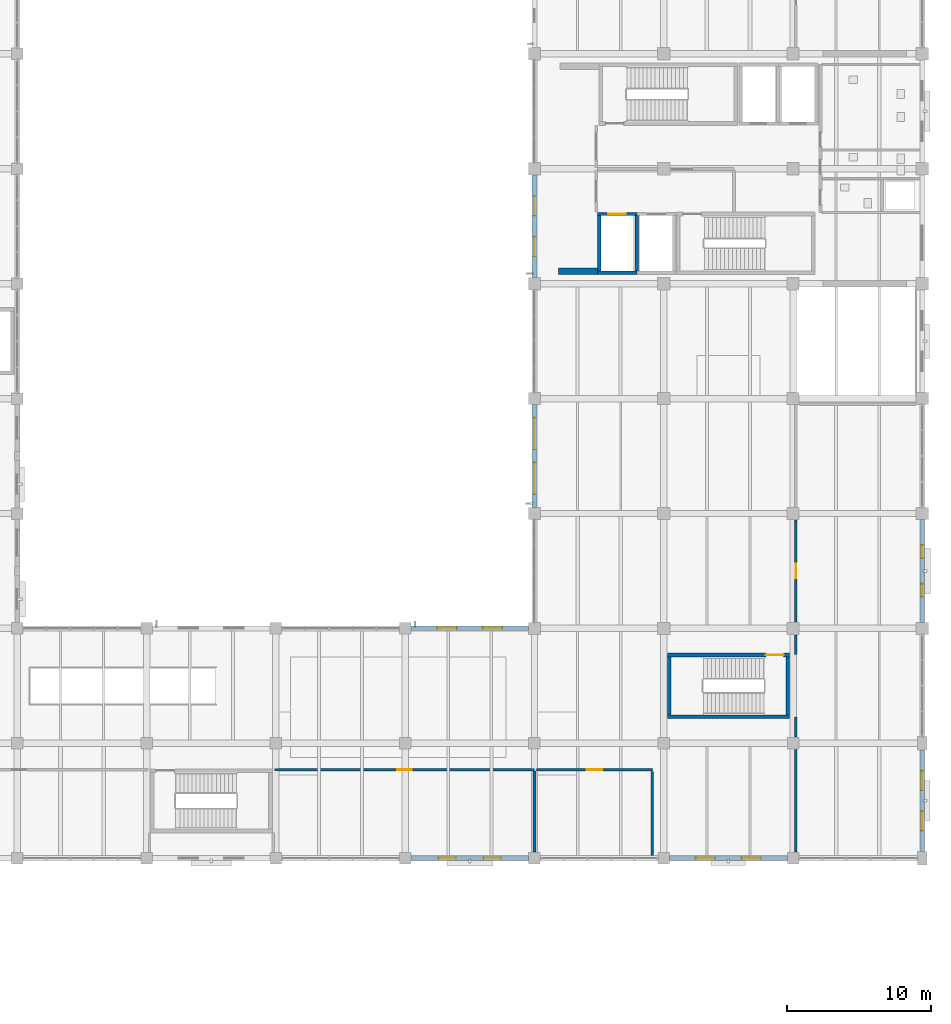
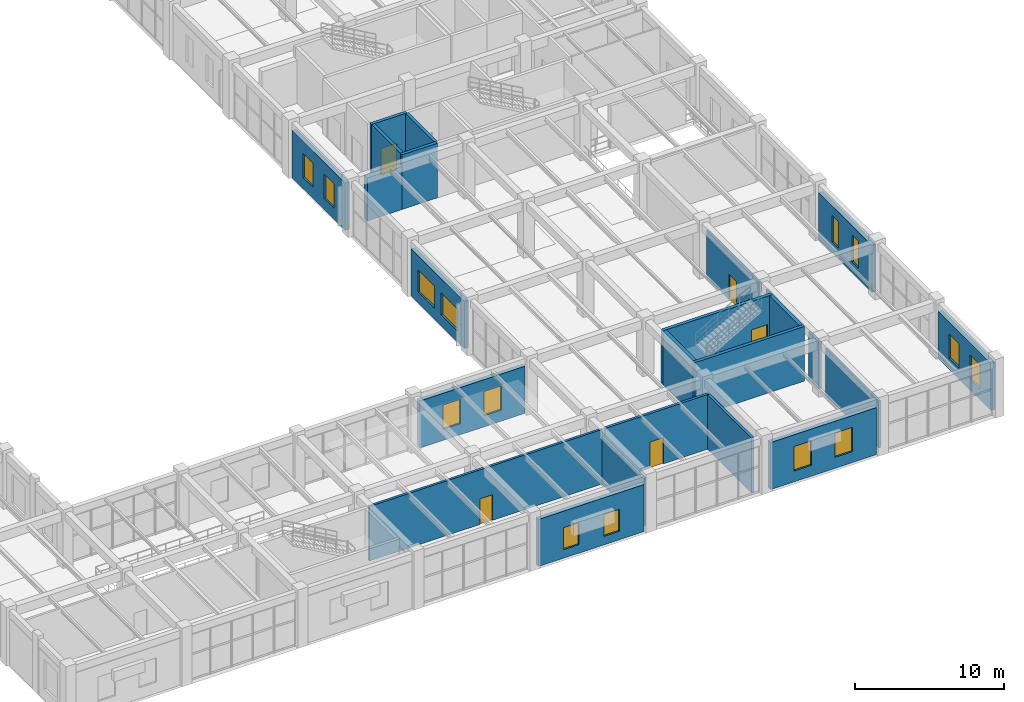
# One storey, part 157 of 178: 24 walls, 14 windows, 5 doors, 19 openings.
"""IFC4 building model written with IfcOpenShell, lengths in metres."""

import ifcopenshell
import ifcopenshell.guid

model = None  # the IFC model being written
_history = None  # IfcOwnerHistory: only IFC2X3 demands one
_inside = {}  # id of a spatial element -> (the spatial element, [elements in it])
_under = {}  # id of a project, library or spatial element -> (it, [spatial elements below it])
_declared = {}  # id of a project -> (the project, [libraries it declares])
_typed = {}  # id of a type object -> (the type object, [elements of that type])
_made_of = {}  # id of a material, layer set ... -> (it, [elements and type objects made of it])


def new_model(schema):
    """Start an empty IFC model of exactly this schema.

    Asked for "IFC4X3", IfcOpenShell would pick the latest addendum, in which some entities
    have other attributes; the version numbers below select the first issue.
    IFC2X3 requires an IfcOwnerHistory on every rooted entity: one is made here for all.
    """
    global model, _history
    if schema == "IFC4X3":
        model = ifcopenshell.file(schema_version=(4, 3, 0, 0))
    else:
        model = ifcopenshell.file(schema=schema)
    _inside.clear()
    _under.clear()
    _declared.clear()
    _typed.clear()
    _made_of.clear()
    _history = None
    if model.schema == "IFC2X3":
        org = make("IfcOrganization", Name="unknown")
        user = make(
            "IfcPersonAndOrganization",
            ThePerson=make("IfcPerson", FamilyName="unknown"),
            TheOrganization=org,
        )
        app = make(
            "IfcApplication",
            ApplicationDeveloper=org,
            Version="unknown",
            ApplicationFullName="unknown",
            ApplicationIdentifier="unknown",
        )
        _history = make(
            "IfcOwnerHistory",
            OwningUser=user,
            OwningApplication=app,
            ChangeAction="ADDED",
            CreationDate=0,
        )
    return model


def make(cls, **values):
    """One entity of the class cls with the attributes given. An attribute that is None is left unset."""
    return model.create_entity(
        cls, **{name: value for name, value in values.items() if value is not None}
    )


def rooted(cls, **values):
    """An entity with a GlobalId (a new one), such as an element, a storey or a relation."""
    return make(cls, GlobalId=ifcopenshell.guid.new(), OwnerHistory=_history, **values)


def si_unit(unit_type, name, prefix=None):
    """IfcSIUnit, for example si_unit("LENGTHUNIT", "METRE", prefix="MILLI")."""
    return make("IfcSIUnit", UnitType=unit_type, Prefix=prefix, Name=name)


def derived_unit(unit_type, elements):
    """IfcDerivedUnit: a product of units, each with its exponent."""
    return make(
        "IfcDerivedUnit",
        Elements=[
            make("IfcDerivedUnitElement", Unit=unit, Exponent=power)
            for unit, power in elements
        ],
        UnitType=unit_type,
    )


def assignment(units):
    """IfcUnitAssignment: the units of a project."""
    return None if units is None else make("IfcUnitAssignment", Units=units)


def point(xyz):
    """IfcCartesianPoint."""
    return None if xyz is None else make("IfcCartesianPoint", Coordinates=xyz)


def direction(xyz):
    """IfcDirection."""
    return None if xyz is None else make("IfcDirection", DirectionRatios=xyz)


def frame(location, z_axis=None, x_axis=None):
    """IfcAxis2Placement3D, a coordinate frame: its origin and axes. An axis left out is left unset."""
    return make(
        "IfcAxis2Placement3D",
        Location=point(location),
        Axis=direction(z_axis),
        RefDirection=direction(x_axis),
    )


def frame_2d(location, x_axis=None):
    """IfcAxis2Placement2D, a coordinate frame in the plane: its origin and x axis."""
    return make(
        "IfcAxis2Placement2D", Location=point(location), RefDirection=direction(x_axis)
    )


def origin():
    """The frame at (0, 0, 0) with its axes left unset."""
    return frame((0.0, 0.0, 0.0))


def place(relative_to, where):
    """IfcLocalPlacement: puts the frame where relative to a parent placement (None: the world)."""
    return make(
        "IfcLocalPlacement", PlacementRelTo=relative_to, RelativePlacement=where
    )


def context(
    kind, dimensions, precision=None, world=None, true_north=None, identifier=None
):
    """IfcGeometricRepresentationContext, for example the 3D "Model" context."""
    return make(
        "IfcGeometricRepresentationContext",
        ContextIdentifier=identifier,
        ContextType=kind,
        CoordinateSpaceDimension=dimensions,
        Precision=precision,
        WorldCoordinateSystem=world,
        TrueNorth=true_north,
    )


def subcontext(parent, identifier, kind, view, scale=None):
    """IfcGeometricRepresentationSubContext, for example "Body" below "Model"."""
    return make(
        "IfcGeometricRepresentationSubContext",
        ContextIdentifier=identifier,
        ContextType=kind,
        ParentContext=parent,
        TargetScale=scale,
        TargetView=view,
    )


def project(units=None, contexts=None):
    """IfcProject with its units and contexts."""
    return rooted(
        "IfcProject",
        Name="project",
        RepresentationContexts=contexts,
        UnitsInContext=assignment(units),
    )


def spatial(cls, under=None, at=None, **own):
    """A site, building, storey or space (cls), placed at a placement, below another one or the project."""
    s = rooted(cls, ObjectPlacement=at, **own)
    if under is not None:
        _under.setdefault(under.id(), (under, []))[1].append(s)
    return s


def profile(cls, at=None, kind="AREA", **sizes):
    """A parametric profile (cls). Its sizes go by their IFC names, for example OverallWidth=200.0."""
    return make(cls, ProfileType=kind, Position=at, **sizes)


def rectangle(**sizes):
    """IfcRectangleProfileDef."""
    return profile("IfcRectangleProfileDef", **sizes)


def extrude(swept, where, along, depth):
    """IfcExtrudedAreaSolid: the profile swept, set in the frame where, extruded along a direction by depth."""
    return make(
        "IfcExtrudedAreaSolid",
        SweptArea=swept,
        Position=where,
        ExtrudedDirection=direction(along),
        Depth=depth,
    )


def shape(context_of_items, identifier, shape_type, items):
    """IfcShapeRepresentation: the items that make up one representation, for example the "Body"."""
    return make(
        "IfcShapeRepresentation",
        ContextOfItems=context_of_items,
        RepresentationIdentifier=identifier,
        RepresentationType=shape_type,
        Items=items,
    )


def material(Name=None, Category=None):
    """IfcMaterial."""
    return make("IfcMaterial", Name=Name, Category=Category)


def layer(
    of_material, thickness, ventilated=None, Name=None, Category=None, Priority=None
):
    """IfcMaterialLayer: one layer of a wall or slab, of a material (None: an air gap)."""
    return make(
        "IfcMaterialLayer",
        Material=of_material,
        LayerThickness=thickness,
        IsVentilated=ventilated,
        Name=Name,
        Category=Category,
        Priority=Priority,
    )


def layer_set(layers, Name=None):
    """IfcMaterialLayerSet."""
    return make("IfcMaterialLayerSet", MaterialLayers=layers, LayerSetName=Name)


def made_of(thing, what):
    """Note that an element or type object is made of a material, layer set ...; save() writes the relation."""
    if what is not None:
        _made_of.setdefault(what.id(), (what, []))[1].append(thing)
    return thing


def type_object(cls, material=None, **own):
    """A type object (cls), such as IfcWallType, which elements share."""
    return made_of(rooted(cls, **own), material)


def element(
    cls,
    number,
    at=None,
    inside=None,
    cuts=None,
    type_object=None,
    material=None,
    context=None,
    identifier="Body",
    shape_type=None,
    held_by="IfcProductDefinitionShape",
    body=None,
    shapes=None,
    **own,
):
    """One element of the class cls, such as IfcWall. Its Tag is "e" and its number.

    at: its placement. inside: the storey or other place that contains it. cuts: it is an
    opening in that element (IfcRelVoidsElement). A single representation is given by context,
    identifier, shape_type and body (its items); several are given by shapes. held_by: the class
    of the entity that holds the representations. save() writes the other relations.
    """
    e = rooted(cls, Tag="e%d" % number, ObjectPlacement=at, **own)
    if body is not None:
        shapes = [shape(context, identifier, shape_type, body)]
    if shapes is not None:
        e.Representation = make(held_by, Representations=shapes)
    if inside is not None:
        _inside.setdefault(inside.id(), (inside, []))[1].append(e)
    if cuts is not None:
        rooted(
            "IfcRelVoidsElement", RelatingBuildingElement=cuts, RelatedOpeningElement=e
        )
    if type_object is not None:
        _typed.setdefault(type_object.id(), (type_object, []))[1].append(e)
    return made_of(e, material)


def fill(opening, filler):
    """IfcRelFillsElement: the door or window that sits in an opening."""
    return rooted(
        "IfcRelFillsElement",
        RelatingOpeningElement=opening,
        RelatedBuildingElement=filler,
    )


def aggregate(whole, parts):
    """IfcRelAggregates: a whole, such as a stair, and the parts it consists of."""
    return rooted("IfcRelAggregates", RelatingObject=whole, RelatedObjects=parts)


def save(model, path):
    """Write the relations noted so far, then the file.

    IfcRelAggregates (storeys below a building ...), IfcRelContainedInSpatialStructure (elements
    in a storey), IfcRelDefinesByType, IfcRelAssociatesMaterial and IfcRelDeclares: one each for
    every whole, place, type object, material and project.
    """
    for whole, parts in _under.values():
        aggregate(whole, parts)
    for where, things in _inside.values():
        rooted(
            "IfcRelContainedInSpatialStructure",
            RelatedElements=things,
            RelatingStructure=where,
        )
    for kind, things in _typed.values():
        rooted("IfcRelDefinesByType", RelatedObjects=things, RelatingType=kind)
    for what, things in _made_of.values():
        rooted("IfcRelAssociatesMaterial", RelatedObjects=things, RelatingMaterial=what)
    for by, libraries in _declared.values():
        rooted("IfcRelDeclares", RelatingContext=by, RelatedDefinitions=libraries)
    model.write(path)


model = new_model("IFC4")

# Units and contexts
model_context = context("Model", 3, precision=1e-05, world=origin(), true_north=direction((0.0, 1.0)))
body_context = subcontext(model_context, "Body", "Model", "MODEL_VIEW")
ifc_project = project(units=[si_unit("LENGTHUNIT", "METRE"), si_unit("AREAUNIT", "SQUARE_METRE"), si_unit("VOLUMEUNIT", "CUBIC_METRE"), si_unit("PLANEANGLEUNIT", "RADIAN"), si_unit("MASSUNIT", "GRAM", prefix="KILO"), derived_unit("THERMALTRANSMITTANCEUNIT", [(si_unit("MASSUNIT", "GRAM", prefix="KILO"), 1), (si_unit("TIMEUNIT", "SECOND"), -3), (si_unit("THERMODYNAMICTEMPERATUREUNIT", "KELVIN"), -1)])], contexts=[model_context])

# Site, building, storey
site_placement = place(None, origin())
site = spatial("IfcSite", under=ifc_project, at=site_placement, CompositionType="ELEMENT")
building_placement = place(site_placement, origin())
building = spatial("IfcBuilding", under=site, at=building_placement, Name="Zhenchuan Archway Interchange", CompositionType="ELEMENT")
storey_placement = place(building_placement, frame((0.0, 0.0, 5.39990234375)))
storey = spatial("IfcBuildingStorey", under=building, at=storey_placement, Name="L01", CompositionType="ELEMENT", Elevation=5.39990234375)

# Wall, openings, windows
ifc_material_1 = material(Name="Granite Stone Cladding", Category="masonry")
ifc_layer_1 = layer(ifc_material_1, 0.320068359375)
ifc_layer_set_1 = layer_set([ifc_layer_1], Name="Granite Stone Cladding")
wall_type_1 = type_object("IfcWallType", Name="EW_GRANITE_320", PredefinedType="STANDARD", material=ifc_layer_set_1)
wall_1_placement = place(storey_placement, frame((171.0, 31.576904296875, 0.0), z_axis=(0.0, 0.0, 1.0), x_axis=(0.0, -1.0, 0.0)))
wall_1 = element("IfcWall", 1, at=wall_1_placement, inside=storey, type_object=wall_type_1, Name="Exterior wall L01-063", PredefinedType="STANDARD", context=body_context, shape_type="SweptSolid", body=[
    extrude(rectangle(XDim=7.15380859375, YDim=0.320068359375, at=frame_2d((3.576904296875, 0.0))), origin(), (0.0, 0.0, 1.0), 3.860107421875),
])
opening_1_placement = place(wall_1_placement, frame((1.78466796875, 0.0, 0.89990234375)))
opening_1 = element("IfcOpeningElement", 2, at=opening_1_placement, cuts=wall_1, Name="Opening W-12", PredefinedType="OPENING", context=body_context, shape_type="SweptSolid", body=[
    extrude(rectangle(XDim=0.89990234375, YDim=2.199951171875, at=frame_2d((0.449951171875, 1.10009765625))), frame((0.0, 0.171875, 0.0), z_axis=(0.0, -1.0, 0.0), x_axis=(1.0, 0.0, 0.0)), (0.0, 0.0, 1.0), 0.343994140625),
])
opening_2_placement = place(wall_1_placement, frame((4.46923828125, 0.0, 0.89990234375)))
opening_2 = element("IfcOpeningElement", 3, at=opening_2_placement, cuts=wall_1, Name="Opening W-12", PredefinedType="OPENING", context=body_context, shape_type="SweptSolid", body=[
    extrude(rectangle(XDim=0.89990234375, YDim=2.199951171875, at=frame_2d((0.449951171875, 1.10009765625))), frame((0.0, 0.171875, 0.0), z_axis=(0.0, -1.0, 0.0), x_axis=(1.0, 0.0, 0.0)), (0.0, 0.0, 1.0), 0.343994140625),
])
ifc_material_2 = material(Name="Double Low-E Insulated Glazing", Category="glass")
window_type_1 = type_object("IfcWindowType", Name="WN_SLOT_900x2200", PartitioningType="SINGLE_PANEL", PredefinedType="WINDOW", material=ifc_material_2)
window_1_placement = place(opening_1_placement, origin())
window_1 = element("IfcWindow", 4, at=window_1_placement, inside=storey, type_object=window_type_1, Name="Window L01-0142", OverallHeight=2.199951171875, OverallWidth=0.89990234375, PartitioningType="SINGLE_PANEL", PredefinedType="WINDOW", context=body_context, shape_type="SweptSolid", body=[
    extrude(rectangle(XDim=0.89990234375, YDim=2.199951171875, at=frame_2d((0.449951171875, 1.10009765625))), frame((0.0, 0.030029296875, 0.0), z_axis=(0.0, -1.0, 0.0), x_axis=(1.0, 0.0, 0.0)), (0.0, 0.0, 1.0), 0.06005859375),
])
fill(opening_1, window_1)
window_2_placement = place(opening_2_placement, origin())
window_2 = element("IfcWindow", 5, at=window_2_placement, inside=storey, type_object=window_type_1, Name="Window L01-0143", OverallHeight=2.199951171875, OverallWidth=0.89990234375, PartitioningType="SINGLE_PANEL", PredefinedType="WINDOW", context=body_context, shape_type="SweptSolid", body=[
    extrude(rectangle(XDim=0.89990234375, YDim=2.199951171875, at=frame_2d((0.449951171875, 1.10009765625))), frame((0.0, 0.030029296875, 0.0), z_axis=(0.0, -1.0, 0.0), x_axis=(1.0, 0.0, 0.0)), (0.0, 0.0, 1.0), 0.06005859375),
])
fill(opening_2, window_2)

wall_2_placement = place(storey_placement, frame((171.0, 15.527099609375, 0.0), z_axis=(0.0, 0.0, 1.0), x_axis=(0.0, -1.0, 0.0)))
wall_2 = element("IfcWall", 6, at=wall_2_placement, inside=storey, type_object=wall_type_1, Name="Exterior wall L01-065", PredefinedType="STANDARD", context=body_context, shape_type="SweptSolid", body=[
    extrude(rectangle(XDim=7.05419921875, YDim=0.320068359375, at=frame_2d((3.527099609375, 0.0))), origin(), (0.0, 0.0, 1.0), 3.860107421875),
])
opening_3_placement = place(wall_2_placement, frame((1.451416015625, 0.0, 0.89990234375)))
opening_3 = element("IfcOpeningElement", 7, at=opening_3_placement, cuts=wall_2, Name="Opening W-06", PredefinedType="OPENING", context=body_context, shape_type="SweptSolid", body=[
    extrude(rectangle(XDim=1.35009765625, YDim=2.0, at=frame_2d((0.675048828125, 1.0))), frame((0.0, 0.171875, 0.0), z_axis=(0.0, -1.0, 0.0), x_axis=(1.0, 0.0, 0.0)), (0.0, 0.0, 1.0), 0.343994140625),
])
opening_4_placement = place(wall_2_placement, frame((4.252685546875, 0.0, 0.89990234375)))
opening_4 = element("IfcOpeningElement", 8, at=opening_4_placement, cuts=wall_2, Name="Opening W-06", PredefinedType="OPENING", context=body_context, shape_type="SweptSolid", body=[
    extrude(rectangle(XDim=1.35009765625, YDim=2.0, at=frame_2d((0.675048828125, 1.0))), frame((0.0, 0.171875, 0.0), z_axis=(0.0, -1.0, 0.0), x_axis=(1.0, 0.0, 0.0)), (0.0, 0.0, 1.0), 0.343994140625),
])
window_type_2 = type_object("IfcWindowType", Name="WN_MOD_1350x2000", PartitioningType="SINGLE_PANEL", PredefinedType="WINDOW", material=ifc_material_2)
window_3_placement = place(opening_3_placement, origin())
window_3 = element("IfcWindow", 9, at=window_3_placement, inside=storey, type_object=window_type_2, Name="Window L01-0144", OverallHeight=2.0, OverallWidth=1.35009765625, PartitioningType="SINGLE_PANEL", PredefinedType="WINDOW", context=body_context, shape_type="SweptSolid", body=[
    extrude(rectangle(XDim=1.35009765625, YDim=2.0, at=frame_2d((0.675048828125, 1.0))), frame((0.0, 0.030029296875, 0.0), z_axis=(0.0, -1.0, 0.0), x_axis=(1.0, 0.0, 0.0)), (0.0, 0.0, 1.0), 0.06005859375),
])
fill(opening_3, window_3)
window_4_placement = place(opening_4_placement, origin())
window_4 = element("IfcWindow", 10, at=window_4_placement, inside=storey, type_object=window_type_2, Name="Window L01-0145", OverallHeight=2.0, OverallWidth=1.35009765625, PartitioningType="SINGLE_PANEL", PredefinedType="WINDOW", context=body_context, shape_type="SweptSolid", body=[
    extrude(rectangle(XDim=1.35009765625, YDim=2.0, at=frame_2d((0.675048828125, 1.0))), frame((0.0, 0.030029296875, 0.0), z_axis=(0.0, -1.0, 0.0), x_axis=(1.0, 0.0, 0.0)), (0.0, 0.0, 1.0), 0.06005859375),
])
fill(opening_4, window_4)

wall_3_placement = place(storey_placement, frame((161.60205078125, 8.0, 0.0), z_axis=(0.0, 0.0, 1.0), x_axis=(-1.0, 0.0, 0.0)))
wall_3 = element("IfcWall", 11, at=wall_3_placement, inside=storey, type_object=wall_type_1, Name="Exterior wall L01-067", PredefinedType="STANDARD", context=body_context, shape_type="SweptSolid", body=[
    extrude(rectangle(XDim=8.2041015625, YDim=0.320068359375, at=frame_2d((4.10205078125, 0.0))), origin(), (0.0, 0.0, 1.0), 3.860107421875),
])
opening_5_placement = place(wall_3_placement, frame((1.834716796875, 0.0, 0.89990234375)))
opening_5 = element("IfcOpeningElement", 12, at=opening_5_placement, cuts=wall_3, Name="Opening W-06", PredefinedType="OPENING", context=body_context, shape_type="SweptSolid", body=[
    extrude(rectangle(XDim=1.35009765625, YDim=2.0, at=frame_2d((0.675048828125, 1.0))), frame((0.0, 0.171875, 0.0), z_axis=(0.0, -1.0, 0.0), x_axis=(1.0, 0.0, 0.0)), (0.0, 0.0, 1.0), 0.343994140625),
])
opening_6_placement = place(wall_3_placement, frame((5.019287109375, 0.0, 0.89990234375)))
opening_6 = element("IfcOpeningElement", 13, at=opening_6_placement, cuts=wall_3, Name="Opening W-06", PredefinedType="OPENING", context=body_context, shape_type="SweptSolid", body=[
    extrude(rectangle(XDim=1.35009765625, YDim=2.0, at=frame_2d((0.675048828125, 1.0))), frame((0.0, 0.171875, 0.0), z_axis=(0.0, -1.0, 0.0), x_axis=(1.0, 0.0, 0.0)), (0.0, 0.0, 1.0), 0.343994140625),
])
window_5_placement = place(opening_5_placement, origin())
window_5 = element("IfcWindow", 14, at=window_5_placement, inside=storey, type_object=window_type_2, Name="Window L01-0146", OverallHeight=2.0, OverallWidth=1.35009765625, PartitioningType="SINGLE_PANEL", PredefinedType="WINDOW", context=body_context, shape_type="SweptSolid", body=[
    extrude(rectangle(XDim=1.35009765625, YDim=2.0, at=frame_2d((0.675048828125, 1.0))), frame((0.0, 0.030029296875, 0.0), z_axis=(0.0, -1.0, 0.0), x_axis=(1.0, 0.0, 0.0)), (0.0, 0.0, 1.0), 0.06005859375),
])
fill(opening_5, window_5)
window_6_placement = place(opening_6_placement, origin())
window_6 = element("IfcWindow", 15, at=window_6_placement, inside=storey, type_object=window_type_2, Name="Window L01-0147", OverallHeight=2.0, OverallWidth=1.35009765625, PartitioningType="SINGLE_PANEL", PredefinedType="WINDOW", context=body_context, shape_type="SweptSolid", body=[
    extrude(rectangle(XDim=1.35009765625, YDim=2.0, at=frame_2d((0.675048828125, 1.0))), frame((0.0, 0.030029296875, 0.0), z_axis=(0.0, -1.0, 0.0), x_axis=(1.0, 0.0, 0.0)), (0.0, 0.0, 1.0), 0.06005859375),
])
fill(opening_6, window_6)

wall_4_placement = place(storey_placement, frame((143.60205078125, 8.0, 0.0), z_axis=(0.0, 0.0, 1.0), x_axis=(-1.0, 0.0, 0.0)))
wall_4 = element("IfcWall", 16, at=wall_4_placement, inside=storey, type_object=wall_type_1, Name="Exterior wall L01-069", PredefinedType="STANDARD", context=body_context, shape_type="SweptSolid", body=[
    extrude(rectangle(XDim=8.2041015625, YDim=0.320068359375, at=frame_2d((4.10205078125, 0.0))), origin(), (0.0, 0.0, 1.0), 3.860107421875),
])
opening_7_placement = place(wall_4_placement, frame((1.934814453125, 0.0, 0.699951171875)))
opening_7 = element("IfcOpeningElement", 17, at=opening_7_placement, cuts=wall_4, Name="Opening W-07", PredefinedType="OPENING", context=body_context, shape_type="SweptSolid", body=[
    extrude(rectangle(XDim=1.199951171875, YDim=1.800048828125, at=frame_2d((0.60009765625, 0.89990234375))), frame((0.0, 0.171875, 0.0), z_axis=(0.0, -1.0, 0.0), x_axis=(1.0, 0.0, 0.0)), (0.0, 0.0, 1.0), 0.343994140625),
])
opening_8_placement = place(wall_4_placement, frame((5.0693359375, 0.0, 0.699951171875)))
opening_8 = element("IfcOpeningElement", 18, at=opening_8_placement, cuts=wall_4, Name="Opening W-07", PredefinedType="OPENING", context=body_context, shape_type="SweptSolid", body=[
    extrude(rectangle(XDim=1.199951171875, YDim=1.800048828125, at=frame_2d((0.60009765625, 0.89990234375))), frame((0.0, 0.171875, 0.0), z_axis=(0.0, -1.0, 0.0), x_axis=(1.0, 0.0, 0.0)), (0.0, 0.0, 1.0), 0.343994140625),
])
window_type_3 = type_object("IfcWindowType", Name="WN_MOD_1200x1800", PartitioningType="SINGLE_PANEL", PredefinedType="WINDOW", material=ifc_material_2)
window_7_placement = place(opening_7_placement, origin())
window_7 = element("IfcWindow", 19, at=window_7_placement, inside=storey, type_object=window_type_3, Name="Window L01-0148", OverallHeight=1.800048828125, OverallWidth=1.199951171875, PartitioningType="SINGLE_PANEL", PredefinedType="WINDOW", context=body_context, shape_type="SweptSolid", body=[
    extrude(rectangle(XDim=1.199951171875, YDim=1.800048828125, at=frame_2d((0.60009765625, 0.89990234375))), frame((0.0, 0.030029296875, 0.0), z_axis=(0.0, -1.0, 0.0), x_axis=(1.0, 0.0, 0.0)), (0.0, 0.0, 1.0), 0.06005859375),
])
fill(opening_7, window_7)
window_8_placement = place(opening_8_placement, origin())
window_8 = element("IfcWindow", 20, at=window_8_placement, inside=storey, type_object=window_type_3, Name="Window L01-0149", OverallHeight=1.800048828125, OverallWidth=1.199951171875, PartitioningType="SINGLE_PANEL", PredefinedType="WINDOW", context=body_context, shape_type="SweptSolid", body=[
    extrude(rectangle(XDim=1.199951171875, YDim=1.800048828125, at=frame_2d((0.60009765625, 0.89990234375))), frame((0.0, 0.030029296875, 0.0), z_axis=(0.0, -1.0, 0.0), x_axis=(1.0, 0.0, 0.0)), (0.0, 0.0, 1.0), 0.06005859375),
])
fill(opening_8, window_8)

wall_5_placement = place(storey_placement, frame((144.0, 48.423095703125, 0.0), z_axis=(0.0, 0.0, 1.0), x_axis=(0.0, 1.0, 0.0)))
wall_5 = element("IfcWall", 21, at=wall_5_placement, inside=storey, type_object=wall_type_1, Name="Exterior wall L01-127", PredefinedType="STANDARD", context=body_context, shape_type="SweptSolid", body=[
    extrude(rectangle(XDim=7.15380859375, YDim=0.320068359375, at=frame_2d((3.576904296875, 0.0))), origin(), (0.0, 0.0, 1.0), 3.860107421875),
])
opening_9_placement = place(wall_5_placement, frame((1.484619140625, 0.0, 0.89990234375)))
opening_9 = element("IfcOpeningElement", 22, at=opening_9_placement, cuts=wall_5, Name="Opening W-06", PredefinedType="OPENING", context=body_context, shape_type="SweptSolid", body=[
    extrude(rectangle(XDim=1.35009765625, YDim=2.0, at=frame_2d((0.675048828125, 1.0))), frame((0.0, 0.171875, 0.0), z_axis=(0.0, -1.0, 0.0), x_axis=(1.0, 0.0, 0.0)), (0.0, 0.0, 1.0), 0.343994140625),
])
opening_10_placement = place(wall_5_placement, frame((4.3193359375, 0.0, 0.89990234375)))
opening_10 = element("IfcOpeningElement", 23, at=opening_10_placement, cuts=wall_5, Name="Opening W-06", PredefinedType="OPENING", context=body_context, shape_type="SweptSolid", body=[
    extrude(rectangle(XDim=1.35009765625, YDim=2.0, at=frame_2d((0.675048828125, 1.0))), frame((0.0, 0.171875, 0.0), z_axis=(0.0, -1.0, 0.0), x_axis=(1.0, 0.0, 0.0)), (0.0, 0.0, 1.0), 0.343994140625),
])
window_9_placement = place(opening_9_placement, origin())
window_9 = element("IfcWindow", 24, at=window_9_placement, inside=storey, type_object=window_type_2, Name="Window L01-0172", OverallHeight=2.0, OverallWidth=1.35009765625, PartitioningType="SINGLE_PANEL", PredefinedType="WINDOW", context=body_context, shape_type="SweptSolid", body=[
    extrude(rectangle(XDim=1.35009765625, YDim=2.0, at=frame_2d((0.675048828125, 1.0))), frame((0.0, 0.030029296875, 0.0), z_axis=(0.0, -1.0, 0.0), x_axis=(1.0, 0.0, 0.0)), (0.0, 0.0, 1.0), 0.06005859375),
])
fill(opening_9, window_9)
window_10_placement = place(opening_10_placement, origin())
window_10 = element("IfcWindow", 25, at=window_10_placement, inside=storey, type_object=window_type_2, Name="Window L01-0173", OverallHeight=2.0, OverallWidth=1.35009765625, PartitioningType="SINGLE_PANEL", PredefinedType="WINDOW", context=body_context, shape_type="SweptSolid", body=[
    extrude(rectangle(XDim=1.35009765625, YDim=2.0, at=frame_2d((0.675048828125, 1.0))), frame((0.0, 0.030029296875, 0.0), z_axis=(0.0, -1.0, 0.0), x_axis=(1.0, 0.0, 0.0)), (0.0, 0.0, 1.0), 0.06005859375),
])
fill(opening_10, window_10)

wall_6_placement = place(storey_placement, frame((135.39794921875, 24.0, 0.0), z_axis=(0.0, 0.0, 1.0), x_axis=(1.0, 0.0, 0.0)))
wall_6 = element("IfcWall", 26, at=wall_6_placement, inside=storey, type_object=wall_type_1, Name="Exterior wall L01-151", PredefinedType="STANDARD", context=body_context, shape_type="SweptSolid", body=[
    extrude(rectangle(XDim=8.178955078125, YDim=0.320068359375, at=frame_2d((4.08935546875, 0.0))), origin(), (0.0, 0.0, 1.0), 3.860107421875),
])
opening_11_placement = place(wall_6_placement, frame((1.826416015625, 0.0, 0.89990234375)))
opening_11 = element("IfcOpeningElement", 27, at=opening_11_placement, cuts=wall_6, Name="Opening W-06", PredefinedType="OPENING", context=body_context, shape_type="SweptSolid", body=[
    extrude(rectangle(XDim=1.35009765625, YDim=2.0, at=frame_2d((0.675048828125, 1.0))), frame((0.0, 0.171875, 0.0), z_axis=(0.0, -1.0, 0.0), x_axis=(1.0, 0.0, 0.0)), (0.0, 0.0, 1.0), 0.343994140625),
])
opening_12_placement = place(wall_6_placement, frame((5.002685546875, 0.0, 0.89990234375)))
opening_12 = element("IfcOpeningElement", 28, at=opening_12_placement, cuts=wall_6, Name="Opening W-06", PredefinedType="OPENING", context=body_context, shape_type="SweptSolid", body=[
    extrude(rectangle(XDim=1.35009765625, YDim=2.0, at=frame_2d((0.675048828125, 1.0))), frame((0.0, 0.171875, 0.0), z_axis=(0.0, -1.0, 0.0), x_axis=(1.0, 0.0, 0.0)), (0.0, 0.0, 1.0), 0.343994140625),
])
window_11_placement = place(opening_11_placement, origin())
window_11 = element("IfcWindow", 29, at=window_11_placement, inside=storey, type_object=window_type_2, Name="Window L01-0192", OverallHeight=2.0, OverallWidth=1.35009765625, PartitioningType="SINGLE_PANEL", PredefinedType="WINDOW", context=body_context, shape_type="SweptSolid", body=[
    extrude(rectangle(XDim=1.35009765625, YDim=2.0, at=frame_2d((0.675048828125, 1.0))), frame((0.0, 0.030029296875, 0.0), z_axis=(0.0, -1.0, 0.0), x_axis=(1.0, 0.0, 0.0)), (0.0, 0.0, 1.0), 0.06005859375),
])
fill(opening_11, window_11)
window_12_placement = place(opening_12_placement, origin())
window_12 = element("IfcWindow", 30, at=window_12_placement, inside=storey, type_object=window_type_2, Name="Window L01-0193", OverallHeight=2.0, OverallWidth=1.35009765625, PartitioningType="SINGLE_PANEL", PredefinedType="WINDOW", context=body_context, shape_type="SweptSolid", body=[
    extrude(rectangle(XDim=1.35009765625, YDim=2.0, at=frame_2d((0.675048828125, 1.0))), frame((0.0, 0.030029296875, 0.0), z_axis=(0.0, -1.0, 0.0), x_axis=(1.0, 0.0, 0.0)), (0.0, 0.0, 1.0), 0.06005859375),
])
fill(opening_12, window_12)

wall_7_placement = place(storey_placement, frame((144.0, 32.423095703125, 0.0), z_axis=(0.0, 0.0, 1.0), x_axis=(0.0, 1.0, 0.0)))
wall_7 = element("IfcWall", 31, at=wall_7_placement, inside=storey, type_object=wall_type_1, Name="Exterior wall L01-153", PredefinedType="STANDARD", context=body_context, shape_type="SweptSolid", body=[
    extrude(rectangle(XDim=7.15380859375, YDim=0.320068359375, at=frame_2d((3.576904296875, 0.0))), origin(), (0.0, 0.0, 1.0), 3.860107421875),
])
opening_13_placement = place(wall_7_placement, frame((0.91796875, 0.0, 0.89990234375)))
opening_13 = element("IfcOpeningElement", 32, at=opening_13_placement, cuts=wall_7, Name="Opening W-08", PredefinedType="OPENING", context=body_context, shape_type="SweptSolid", body=[
    extrude(rectangle(XDim=2.199951171875, YDim=1.800048828125, at=frame_2d((1.10009765625, 0.89990234375))), frame((0.0, 0.171875, 0.0), z_axis=(0.0, -1.0, 0.0), x_axis=(1.0, 0.0, 0.0)), (0.0, 0.0, 1.0), 0.343994140625),
])
opening_14_placement = place(wall_7_placement, frame((4.035888671875, 0.0, 0.89990234375)))
opening_14 = element("IfcOpeningElement", 33, at=opening_14_placement, cuts=wall_7, Name="Opening W-08", PredefinedType="OPENING", context=body_context, shape_type="SweptSolid", body=[
    extrude(rectangle(XDim=2.199951171875, YDim=1.800048828125, at=frame_2d((1.10009765625, 0.89990234375))), frame((0.0, 0.171875, 0.0), z_axis=(0.0, -1.0, 0.0), x_axis=(1.0, 0.0, 0.0)), (0.0, 0.0, 1.0), 0.343994140625),
])
window_type_4 = type_object("IfcWindowType", Name="WN_MOD_2200x1800", PartitioningType="SINGLE_PANEL", PredefinedType="WINDOW", material=ifc_material_2)
window_13_placement = place(opening_13_placement, origin())
window_13 = element("IfcWindow", 34, at=window_13_placement, inside=storey, type_object=window_type_4, Name="Window L01-0194", OverallHeight=1.800048828125, OverallWidth=2.199951171875, PartitioningType="SINGLE_PANEL", PredefinedType="WINDOW", context=body_context, shape_type="SweptSolid", body=[
    extrude(rectangle(XDim=2.199951171875, YDim=1.800048828125, at=frame_2d((1.10009765625, 0.89990234375))), frame((0.0, 0.030029296875, 0.0), z_axis=(0.0, -1.0, 0.0), x_axis=(1.0, 0.0, 0.0)), (0.0, 0.0, 1.0), 0.06005859375),
])
fill(opening_13, window_13)
window_14_placement = place(opening_14_placement, origin())
window_14 = element("IfcWindow", 35, at=window_14_placement, inside=storey, type_object=window_type_4, Name="Window L01-0195", OverallHeight=1.800048828125, OverallWidth=2.199951171875, PartitioningType="SINGLE_PANEL", PredefinedType="WINDOW", context=body_context, shape_type="SweptSolid", body=[
    extrude(rectangle(XDim=2.199951171875, YDim=1.800048828125, at=frame_2d((1.10009765625, 0.89990234375))), frame((0.0, 0.030029296875, 0.0), z_axis=(0.0, -1.0, 0.0), x_axis=(1.0, 0.0, 0.0)), (0.0, 0.0, 1.0), 0.06005859375),
])
fill(opening_14, window_14)

# Wall
ifc_material_3 = material(Name="Concrete C50", Category="concrete")
ifc_layer_2 = layer(ifc_material_3, 0.449951171875)
ifc_layer_set_2 = layer_set([ifc_layer_2], Name="Concrete C50")
wall_type_2 = type_object("IfcWallType", Name="WL_CORE_450", PredefinedType="SHEAR", material=ifc_layer_set_2)
wall_8_placement = place(storey_placement, frame((145.679931640625, 48.85498046875, 0.0), z_axis=(0.0, 0.0, 1.0), x_axis=(1.0, 0.0, 0.0)))
element("IfcWall", 36, at=wall_8_placement, inside=storey, type_object=wall_type_2, Name="Operations lateral shear wall W-S (L01)", PredefinedType="SHEAR", context=body_context, shape_type="SweptSolid", body=[
    extrude(rectangle(XDim=2.699951171875, YDim=0.449951171875, at=frame_2d((1.35009765625, 0.0))), origin(), (0.0, 0.0, 1.0), 3.530029296875),
])

# Wall, opening, door
ifc_material_4 = material(Name="Autoclaved Aerated Concrete Block", Category="concrete")
ifc_layer_3 = layer(ifc_material_4, 0.199951171875)
ifc_layer_set_3 = layer_set([ifc_layer_3], Name="Autoclaved Aerated Concrete Block")
wall_type_3 = type_object("IfcWallType", Name="WL_FIRE_200", PredefinedType="STANDARD", material=ifc_layer_set_3)
wall_9_placement = place(storey_placement, frame((144.14990234375, 14.159912109375, 0.0), z_axis=(0.0, 0.0, 1.0), x_axis=(1.0, 0.0, 0.0)))
wall_9 = element("IfcWall", 37, at=wall_9_placement, inside=storey, type_object=wall_type_3, Name="Canteen Preparation Servery N partition (L01)", PredefinedType="STANDARD", context=body_context, shape_type="SweptSolid", body=[
    extrude(rectangle(XDim=8.050048828125, YDim=0.199951171875, at=frame_2d((4.02490234375, 0.0))), origin(), (0.0, 0.0, 1.0), 4.47998046875),
])
opening_15_placement = place(wall_9_placement, frame((3.5, 0.0, 0.0)))
opening_15 = element("IfcOpeningElement", 38, at=opening_15_placement, cuts=wall_9, Name="Opening FD-03", PredefinedType="OPENING", context=body_context, shape_type="SweptSolid", body=[
    extrude(rectangle(XDim=1.050048828125, YDim=2.14990234375, at=frame_2d((0.52490234375, 1.074951171875))), frame((0.0, 0.11181640625, 0.0), z_axis=(0.0, -1.0, 0.0), x_axis=(1.0, 0.0, 0.0)), (0.0, 0.0, 1.0), 0.223876953125),
])
ifc_material_5 = material(Name="Painted Galvanised Steel", Category="steel")
door_type_1 = type_object("IfcDoorType", Name="DR_PLANT_FD60_S", OperationType="NOTDEFINED", PredefinedType="DOOR", material=ifc_material_5)
door_1_placement = place(opening_15_placement, origin())
door_1 = element("IfcDoor", 39, at=door_1_placement, inside=storey, type_object=door_type_1, Name="Canteen Preparation Servery door (L01)", OperationType="SINGLE_SWING_LEFT", OverallHeight=2.14990234375, OverallWidth=1.050048828125, PredefinedType="DOOR", context=body_context, shape_type="SweptSolid", body=[
    extrude(rectangle(XDim=1.050048828125, YDim=2.14990234375, at=frame_2d((0.52490234375, 1.074951171875))), frame((0.0, 0.02490234375, 0.0), z_axis=(0.0, -1.0, 0.0), x_axis=(1.0, 0.0, 0.0)), (0.0, 0.0, 1.0), 0.050048828125),
])
fill(opening_15, door_1)

# Walls
wall_10_placement = place(storey_placement, frame((152.199951171875, 8.175048828125, 0.0), z_axis=(0.0, 0.0, 1.0), x_axis=(0.0, 1.0, 0.0)))
element("IfcWall", 40, at=wall_10_placement, inside=storey, type_object=wall_type_3, Name="Canteen Preparation Servery E partition (L01)", PredefinedType="STANDARD", context=body_context, shape_type="SweptSolid", body=[
    extrude(rectangle(XDim=5.875, YDim=0.199951171875, at=frame_2d((2.9375, 0.0))), origin(), (0.0, 0.0, 1.0), 4.47998046875),
])
ifc_material_6 = material(Name="Concrete C40", Category="concrete")
ifc_layer_4 = layer(ifc_material_6, 0.239990234375)
ifc_layer_set_4 = layer_set([ifc_layer_4], Name="Concrete C40")
wall_type_4 = type_object("IfcWallType", Name="WL_LIFT_240", PredefinedType="SHEAR", material=ifc_layer_set_4)
wall_11_placement = place(storey_placement, frame((148.3798828125, 48.75, 0.0), z_axis=(0.0, 0.0, 1.0), x_axis=(1.0, 0.0, 0.0)))
element("IfcWall", 41, at=wall_11_placement, inside=storey, type_object=wall_type_4, Name="Lift LF-08 south shaft wall (L01)", PredefinedType="SHEAR", context=body_context, shape_type="SweptSolid", body=[
    extrude(rectangle(XDim=2.740234375, YDim=0.239990234375, at=frame_2d((1.3701171875, 0.0))), origin(), (0.0, 0.0, 1.0), 4.47998046875),
])

# Wall, opening, door
wall_12_placement = place(storey_placement, frame((151.1201171875, 52.85009765625, 0.0), z_axis=(0.0, 0.0, 1.0), x_axis=(-1.0, 0.0, 0.0)))
wall_12 = element("IfcWall", 42, at=wall_12_placement, inside=storey, type_object=wall_type_4, Name="Lift LF-08 north shaft wall (L01)", PredefinedType="SHEAR", context=body_context, shape_type="SweptSolid", body=[
    extrude(rectangle(XDim=2.740234375, YDim=0.239990234375, at=frame_2d((1.3701171875, 0.0))), origin(), (0.0, 0.0, 1.0), 4.47998046875),
])
opening_16_placement = place(wall_12_placement, frame((0.77001953125, 0.0, 0.0)))
opening_16 = element("IfcOpeningElement", 43, at=opening_16_placement, cuts=wall_12, Name="Opening LD-02", PredefinedType="OPENING", context=body_context, shape_type="SweptSolid", body=[
    extrude(rectangle(XDim=1.199951171875, YDim=2.199951171875, at=frame_2d((0.60009765625, 1.10009765625))), frame((0.0, 0.1318359375, 0.0), z_axis=(0.0, -1.0, 0.0), x_axis=(1.0, 0.0, 0.0)), (0.0, 0.0, 1.0), 0.263916015625),
])
ifc_material_7 = material(Name="Stainless Steel 304", Category="steel")
door_type_2 = type_object("IfcDoorType", Name="DR_LIFT_LD120", OperationType="DOUBLE_DOOR_SLIDING", PredefinedType="DOOR", material=ifc_material_7)
door_2_placement = place(opening_16_placement, origin())
door_2 = element("IfcDoor", 44, at=door_2_placement, inside=storey, type_object=door_type_2, Name="Lift LF-08 landing door (L01)", OperationType="DOUBLE_DOOR_SLIDING", OverallHeight=2.199951171875, OverallWidth=1.199951171875, PredefinedType="DOOR", context=body_context, shape_type="SweptSolid", body=[
    extrude(rectangle(XDim=1.199951171875, YDim=2.199951171875, at=frame_2d((0.60009765625, 1.10009765625))), frame((0.0, 0.02490234375, 0.0), z_axis=(0.0, -1.0, 0.0), x_axis=(1.0, 0.0, 0.0)), (0.0, 0.0, 1.0), 0.050048828125),
])
fill(opening_16, door_2)

# Walls
for number, where, z_axis, x_axis, name in (
    (45, (148.5, 52.72998046875, 0.0), (0.0, 0.0, 1.0), (0.0, -1.0, 0.0), "Lift LF-08 west shaft wall (L01)"),
    (46, (151.1201171875, 48.8701171875, 0.0), (0.0, 0.0, 1.0), (0.0, 1.0, 0.0), "Lift LF-08 east shaft wall (L01)"),
):
    element("IfcWall", number, at=place(storey_placement, frame(where, z_axis=z_axis, x_axis=x_axis)), inside=storey, type_object=wall_type_4, Name=name, PredefinedType="SHEAR", context=body_context, shape_type="SweptSolid", body=[
        extrude(rectangle(XDim=3.85986328125, YDim=0.239990234375, at=frame_2d((1.929931640625, 0.0))), origin(), (0.0, 0.0, 1.0), 4.47998046875),
    ])

# Wall, opening, door
ifc_material_8 = material(Name="Concrete Block Masonry", Category="masonry")
ifc_layer_5 = layer(ifc_material_8, 0.179931640625)
ifc_layer_set_5 = layer_set([ifc_layer_5], Name="Concrete Block Masonry")
wall_type_5 = type_object("IfcWallType", Name="WL_PART_180", PredefinedType="STANDARD", material=ifc_layer_set_5)
wall_13_placement = place(storey_placement, frame((125.89501953125, 14.159912109375, 0.0), z_axis=(0.0, 0.0, 1.0), x_axis=(1.0, 0.0, 0.0)))
wall_13 = element("IfcWall", 47, at=wall_13_placement, inside=storey, type_object=wall_type_5, Name="Staff Quiet Tea Lounge N partition (L01)", PredefinedType="STANDARD", context=body_context, shape_type="SweptSolid", body=[
    extrude(rectangle(XDim=18.10498046875, YDim=0.179931640625, at=frame_2d((9.052490234375, 0.0))), origin(), (0.0, 0.0, 1.0), 4.47998046875),
])
opening_17_placement = place(wall_13_placement, frame((8.552490234375, 0.0, 0.0)))
opening_17 = element("IfcOpeningElement", 48, at=opening_17_placement, cuts=wall_13, Name="Opening ID-02", PredefinedType="OPENING", context=body_context, shape_type="SweptSolid", body=[
    extrude(rectangle(XDim=1.0, YDim=2.10009765625, at=frame_2d((0.5, 1.050048828125))), frame((0.0, 0.10205078125, 0.0), z_axis=(0.0, -1.0, 0.0), x_axis=(1.0, 0.0, 0.0)), (0.0, 0.0, 1.0), 0.203857421875),
])
ifc_material_9 = material(Name="Hardwood Timber", Category="wood")
door_type_3 = type_object("IfcDoorType", Name="DR_OPS_100", OperationType="NOTDEFINED", PredefinedType="DOOR", material=ifc_material_9)
door_3_placement = place(opening_17_placement, origin())
door_3 = element("IfcDoor", 49, at=door_3_placement, inside=storey, type_object=door_type_3, Name="Staff Quiet Tea Lounge door (L01)", OperationType="SINGLE_SWING_RIGHT", OverallHeight=2.10009765625, OverallWidth=1.0, PredefinedType="DOOR", context=body_context, shape_type="SweptSolid", body=[
    extrude(rectangle(XDim=1.0, YDim=2.10009765625, at=frame_2d((0.5, 1.050048828125))), frame((0.0, 0.02490234375, 0.0), z_axis=(0.0, -1.0, 0.0), x_axis=(1.0, 0.0, 0.0)), (0.0, 0.0, 1.0), 0.050048828125),
])
fill(opening_17, door_3)

# Walls
wall_14_placement = place(storey_placement, frame((144.0, 8.425048828125, 0.0), z_axis=(0.0, 0.0, 1.0), x_axis=(0.0, 1.0, 0.0)))
element("IfcWall", 50, at=wall_14_placement, inside=storey, type_object=wall_type_5, Name="Staff Quiet Tea Lounge E partition (L01)", PredefinedType="STANDARD", context=body_context, shape_type="SweptSolid", body=[
    extrude(rectangle(XDim=5.635009765625, YDim=0.179931640625, at=frame_2d((2.8173828125, 0.0))), origin(), (0.0, 0.0, 1.0), 3.860107421875),
])
wall_15_placement = place(storey_placement, frame((162.199951171875, 8.425048828125, 0.0), z_axis=(0.0, 0.0, 1.0), x_axis=(0.0, 1.0, 0.0)))
element("IfcWall", 51, at=wall_15_placement, inside=storey, type_object=wall_type_5, Name="Transit Heritage and Community Room W partition (L01)", PredefinedType="STANDARD", context=body_context, shape_type="SweptSolid", body=[
    extrude(rectangle(XDim=7.14990234375, YDim=0.179931640625, at=frame_2d((3.574951171875, 0.0))), origin(), (0.0, 0.0, 1.0), 3.860107421875),
])
wall_16_placement = place(storey_placement, frame((162.199951171875, 16.425048828125, 0.0), z_axis=(0.0, 0.0, 1.0), x_axis=(0.0, 1.0, 0.0)))
element("IfcWall", 52, at=wall_16_placement, inside=storey, type_object=wall_type_5, Name="Transit Heritage and Community Room W partition (L01)", PredefinedType="STANDARD", context=body_context, shape_type="SweptSolid", body=[
    extrude(rectangle(XDim=1.39990234375, YDim=0.179931640625, at=frame_2d((0.699951171875, 0.0))), origin(), (0.0, 0.0, 1.0), 3.860107421875),
])
wall_17_placement = place(storey_placement, frame((162.199951171875, 22.175048828125, 0.0), z_axis=(0.0, 0.0, 1.0), x_axis=(0.0, 1.0, 0.0)))
element("IfcWall", 53, at=wall_17_placement, inside=storey, type_object=wall_type_5, Name="Transit Heritage and Community Room W partition (L01)", PredefinedType="STANDARD", context=body_context, shape_type="SweptSolid", body=[
    extrude(rectangle(XDim=1.375, YDim=0.179931640625, at=frame_2d((0.6875, 0.0))), origin(), (0.0, 0.0, 1.0), 3.860107421875),
])

# Wall, opening, door
wall_18_placement = place(storey_placement, frame((162.199951171875, 24.449951171875, 0.0), z_axis=(0.0, 0.0, 1.0), x_axis=(0.0, 1.0, 0.0)))
wall_18 = element("IfcWall", 54, at=wall_18_placement, inside=storey, type_object=wall_type_5, Name="Transit Heritage and Community Room W partition (L01)", PredefinedType="STANDARD", context=body_context, shape_type="SweptSolid", body=[
    extrude(rectangle(XDim=7.10009765625, YDim=0.179931640625, at=frame_2d((3.550048828125, 0.0))), origin(), (0.0, 0.0, 1.0), 3.860107421875),
])
opening_18_placement = place(wall_18_placement, frame((3.050048828125, 0.0, 0.0)))
opening_18 = element("IfcOpeningElement", 55, at=opening_18_placement, cuts=wall_18, Name="Opening ID-02", PredefinedType="OPENING", context=body_context, shape_type="SweptSolid", body=[
    extrude(rectangle(XDim=1.0, YDim=2.10009765625, at=frame_2d((0.5, 1.050048828125))), frame((0.0, 0.10205078125, 0.0), z_axis=(0.0, -1.0, 0.0), x_axis=(1.0, 0.0, 0.0)), (0.0, 0.0, 1.0), 0.203857421875),
])
door_4_placement = place(opening_18_placement, origin())
door_4 = element("IfcDoor", 56, at=door_4_placement, inside=storey, type_object=door_type_3, Name="Transit Heritage and Community Room door (L01)", OperationType="SINGLE_SWING_RIGHT", OverallHeight=2.10009765625, OverallWidth=1.0, PredefinedType="DOOR", context=body_context, shape_type="SweptSolid", body=[
    extrude(rectangle(XDim=1.0, YDim=2.10009765625, at=frame_2d((0.5, 1.050048828125))), frame((0.0, 0.02490234375, 0.0), z_axis=(0.0, -1.0, 0.0), x_axis=(1.0, 0.0, 0.0)), (0.0, 0.0, 1.0), 0.050048828125),
])
fill(opening_18, door_4)

# Wall
ifc_layer_6 = layer(ifc_material_6, 0.25)
ifc_layer_set_6 = layer_set([ifc_layer_6], Name="Concrete C40")
wall_type_6 = type_object("IfcWallType", Name="WL_STAIR_250", PredefinedType="SHEAR", material=ifc_layer_set_6)
wall_19_placement = place(storey_placement, frame((153.2548828125, 17.85009765625, 0.0), z_axis=(0.0, 0.0, 1.0), x_axis=(1.0, 0.0, 0.0)))
element("IfcWall", 57, at=wall_19_placement, inside=storey, type_object=wall_type_6, Name="Stair ST-O4 south wall (L01)", PredefinedType="SHEAR", context=body_context, shape_type="SweptSolid", body=[
    extrude(rectangle(XDim=8.490234375, YDim=0.25, at=frame_2d((4.2451171875, 0.0))), origin(), (0.0, 0.0, 1.0), 4.47998046875),
])

# Wall, opening, door
wall_20_placement = place(storey_placement, frame((161.7451171875, 22.14990234375, 0.0), z_axis=(0.0, 0.0, 1.0), x_axis=(-1.0, 0.0, 0.0)))
wall_20 = element("IfcWall", 58, at=wall_20_placement, inside=storey, type_object=wall_type_6, Name="Stair ST-O4 north wall (L01)", PredefinedType="SHEAR", context=body_context, shape_type="SweptSolid", body=[
    extrude(rectangle(XDim=8.490234375, YDim=0.25, at=frame_2d((4.2451171875, 0.0))), origin(), (0.0, 0.0, 1.0), 4.47998046875),
])
opening_19_placement = place(wall_20_placement, frame((0.39501953125, 0.0, 0.0)))
opening_19 = element("IfcOpeningElement", 59, at=opening_19_placement, cuts=wall_20, Name="Opening FD-01", PredefinedType="OPENING", context=body_context, shape_type="SweptSolid", body=[
    extrude(rectangle(XDim=1.25, YDim=2.14990234375, at=frame_2d((0.625, 1.074951171875))), frame((0.0, 0.136962890625, 0.0), z_axis=(0.0, -1.0, 0.0), x_axis=(1.0, 0.0, 0.0)), (0.0, 0.0, 1.0), 0.27392578125),
])
door_type_4 = type_object("IfcDoorType", Name="DR_STAIR_FD90", OperationType="NOTDEFINED", PredefinedType="DOOR", material=ifc_material_5)
door_5_placement = place(opening_19_placement, origin())
door_5 = element("IfcDoor", 60, at=door_5_placement, inside=storey, type_object=door_type_4, Name="Stair ST-O4 fire door (L01)", OperationType="SINGLE_SWING_LEFT", OverallHeight=2.14990234375, OverallWidth=1.25, PredefinedType="DOOR", context=body_context, shape_type="SweptSolid", body=[
    extrude(rectangle(XDim=1.25, YDim=2.14990234375, at=frame_2d((0.625, 1.074951171875))), frame((0.0, 0.02490234375, 0.0), z_axis=(0.0, -1.0, 0.0), x_axis=(1.0, 0.0, 0.0)), (0.0, 0.0, 1.0), 0.050048828125),
])
fill(opening_19, door_5)

# Walls
for number, where, z_axis, x_axis, name in (
    (61, (153.3798828125, 22.02490234375, 0.0), (0.0, 0.0, 1.0), (0.0, -1.0, 0.0), "Stair ST-O4 west wall (L01)"),
    (62, (161.6201171875, 17.97509765625, 0.0), (0.0, 0.0, 1.0), (0.0, 1.0, 0.0), "Stair ST-O4 east wall (L01)"),
):
    element("IfcWall", number, at=place(storey_placement, frame(where, z_axis=z_axis, x_axis=x_axis)), inside=storey, type_object=wall_type_6, Name=name, PredefinedType="SHEAR", context=body_context, shape_type="SweptSolid", body=[
        extrude(rectangle(XDim=4.0498046875, YDim=0.25, at=frame_2d((2.02490234375, 0.0))), origin(), (0.0, 0.0, 1.0), 4.47998046875),
    ])

save(model, "model.ifc")
